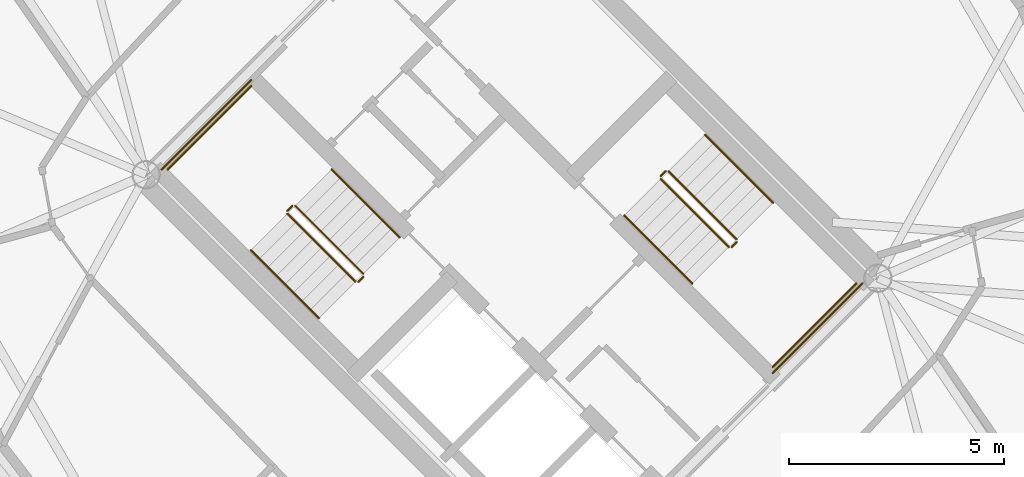
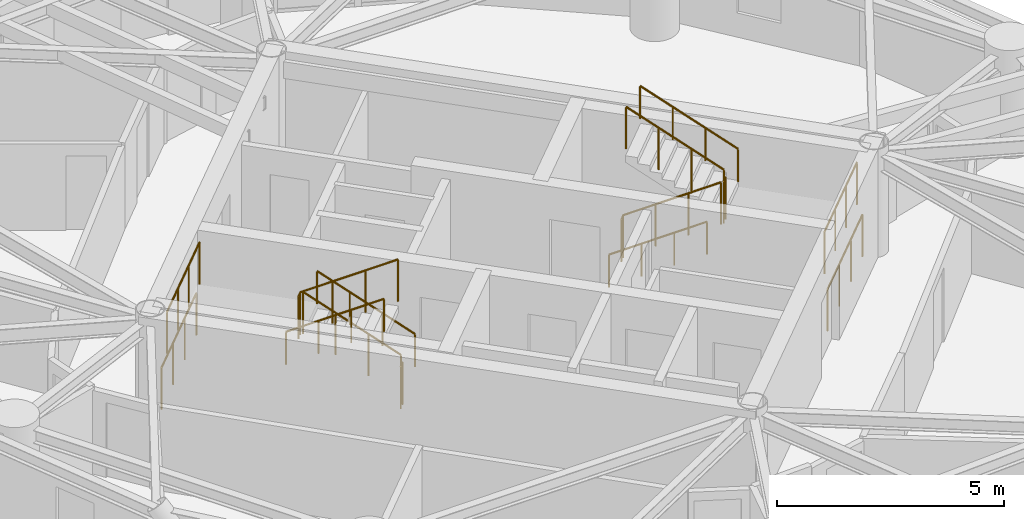
# One storey, part 16 of 17: 16 railings.
"""IFC4 building model written with IfcOpenShell, lengths in metres."""

from ifc_helpers import new_model, si_unit, direction, frame, origin, origin_2d, place, context, subcontext, project, spatial, circle, extrude, material, type_object, element, save


model = new_model("IFC4")

# Units and contexts
model_context = context("Model", 3, precision=1e-05, world=origin(), true_north=direction((0.0, 1.0)))
body_context = subcontext(model_context, "Body", "Model", "MODEL_VIEW")
ifc_project = project(units=[si_unit("LENGTHUNIT", "METRE"), si_unit("AREAUNIT", "SQUARE_METRE"), si_unit("VOLUMEUNIT", "CUBIC_METRE"), si_unit("PLANEANGLEUNIT", "RADIAN"), si_unit("MASSUNIT", "GRAM", prefix="KILO")], contexts=[model_context])

# Site, building, storey
site_placement = place(None, origin())
site = spatial("IfcSite", under=ifc_project, at=site_placement, CompositionType="ELEMENT")
building_placement = place(site_placement, origin())
building = spatial("IfcBuilding", under=site, at=building_placement, Name="Cununo Teusaquillo Station Towers", CompositionType="ELEMENT")
storey_placement = place(building_placement, frame((0.0, 0.0, 205.389892578125)))
storey = spatial("IfcBuildingStorey", under=building, at=storey_placement, Name="L65", CompositionType="ELEMENT", Elevation=205.389892578125)

# Railings
ifc_material_1 = material(Name="Steel EN 10025-2 S355J2", Category="steel")
railing_type_1 = type_object("IfcRailingType", Name="RL-INT-GUARD", PredefinedType="GUARDRAIL", material=ifc_material_1)
railing_1_placement = place(storey_placement, frame((54.03515625, 23.39697265625, 0.161865234375)))
element("IfcRailing", 1, at=railing_1_placement, inside=storey, type_object=railing_type_1, Name="L65 ST-T2-1 stair guard 1", PredefinedType="GUARDRAIL", context=body_context, shape_type="SweptSolid", body=[
    extrude(circle(Radius=0.02392578125, at=origin_2d()), frame((0.0, 0.0, 1.1259765625), z_axis=(-0.612361259024, 0.612361259024, 0.500027376144), x_axis=(-0.707106781187, -0.707106781187, 0.0)), (0.0, 0.0, 1.0), 2.586181640625),
    extrude(circle(Radius=0.02099609375, at=origin_2d()), origin(), (0.0, 0.0, 1.0), 1.101806640625),
    extrude(circle(Radius=0.02099609375, at=origin_2d()), frame((-0.52783203125, 0.52783203125, 0.43115234375)), (0.0, 0.0, 1.0), 1.101806640625),
    extrude(circle(Radius=0.02099609375, at=origin_2d()), frame((-1.055908203125, 1.055908203125, 0.862060546875)), (0.0, 0.0, 1.0), 1.101806640625),
    extrude(circle(Radius=0.02099609375, at=origin_2d()), frame((-1.583740234375, 1.583740234375, 1.293212890625)), (0.0, 0.0, 1.0), 1.101806640625),
])
railing_2_placement = place(storey_placement, frame((52.380615234375, 24.980712890625, 1.455078125)))
element("IfcRailing", 2, at=railing_2_placement, inside=storey, type_object=railing_type_1, Name="L65 ST-T2-1 stair guard 2", PredefinedType="GUARDRAIL", context=body_context, shape_type="SweptSolid", body=[
    extrude(circle(Radius=0.02392578125, at=origin_2d()), frame((0.0, 0.0, 1.1259765625), z_axis=(-0.7078691598, -0.706343579714, 0.0), x_axis=(0.706343579714, -0.7078691598, 0.0)), (0.0, 0.0, 1.0), 0.159912109375),
    extrude(circle(Radius=0.02099609375, at=origin_2d()), origin(), (0.0, 0.0, 1.0), 1.101806640625),
    extrude(circle(Radius=0.02099609375, at=origin_2d()), frame((-0.11328125, -0.113037109375, 0.0)), (0.0, 0.0, 1.0), 1.101806640625),
])
railing_3_placement = place(storey_placement, frame((51.426025390625, 27.77392578125, 1.455078125)))
element("IfcRailing", 3, at=railing_3_placement, inside=storey, type_object=railing_type_1, Name="L65 ST-T2-1 stair guard 3", PredefinedType="GUARDRAIL", context=body_context, shape_type="SweptSolid", body=[
    extrude(circle(Radius=0.02392578125, at=origin_2d()), frame((0.0, 0.0, 1.1259765625), z_axis=(-0.707106781187, -0.707106781187, 0.0), x_axis=(0.707106781187, -0.707106781187, 0.0)), (0.0, 0.0, 1.0), 2.760009765625),
    extrude(circle(Radius=0.02099609375, at=origin_2d()), origin(), (0.0, 0.0, 1.0), 1.101806640625),
    extrude(circle(Radius=0.02099609375, at=origin_2d()), frame((-0.650634765625, -0.650634765625, 0.0)), (0.0, 0.0, 1.0), 1.101806640625),
    extrude(circle(Radius=0.02099609375, at=origin_2d()), frame((-1.301025390625, -1.301025390625, 0.0)), (0.0, 0.0, 1.0), 1.101806640625),
    extrude(circle(Radius=0.02099609375, at=origin_2d()), frame((-1.95166015625, -1.95166015625, 0.0)), (0.0, 0.0, 1.0), 1.101806640625),
])
railing_4_placement = place(storey_placement, frame((52.267333984375, 24.796875, 1.61669921875)))
element("IfcRailing", 4, at=railing_4_placement, inside=storey, type_object=railing_type_1, Name="L65 ST-T2-1 stair guard 4", PredefinedType="GUARDRAIL", context=body_context, shape_type="SweptSolid", body=[
    extrude(circle(Radius=0.02392578125, at=origin_2d()), frame((0.0, 0.0, 1.1259765625), z_axis=(0.612391349474, -0.612296961165, 0.500069261639), x_axis=(0.707052281454, 0.707161276719, 0.0)), (0.0, 0.0, 1.0), 2.586669921875),
    extrude(circle(Radius=0.02099609375, at=origin_2d()), origin(), (0.0, 0.0, 1.0), 1.101806640625),
    extrude(circle(Radius=0.02099609375, at=origin_2d()), frame((0.528076171875, -0.52783203125, 0.43115234375)), (0.0, 0.0, 1.0), 1.101806640625),
    extrude(circle(Radius=0.02099609375, at=origin_2d()), frame((1.055908203125, -1.055908203125, 0.8623046875)), (0.0, 0.0, 1.0), 1.101806640625),
    extrude(circle(Radius=0.02099609375, at=origin_2d()), frame((1.583984375, -1.583740234375, 1.29345703125)), (0.0, 0.0, 1.0), 1.101806640625),
])
railing_5_placement = place(storey_placement, frame((54.03515625, 23.326171875, 0.0)))
element("IfcRailing", 5, at=railing_5_placement, inside=storey, type_object=railing_type_1, Name="L65 ST-T2-1 stair guard 5", PredefinedType="GUARDRAIL", context=body_context, shape_type="SweptSolid", body=[
    extrude(circle(Radius=0.02392578125, at=origin_2d()), frame((0.0, 0.0, 1.1259765625), z_axis=(-0.707106781187, -0.707106781187, 0.0), x_axis=(0.707106781187, -0.707106781187, 0.0)), (0.0, 0.0, 1.0), 0.159912109375),
    extrude(circle(Radius=0.02099609375, at=origin_2d()), origin(), (0.0, 0.0, 1.0), 1.101806640625),
    extrude(circle(Radius=0.02099609375, at=origin_2d()), frame((-0.113037109375, -0.113037109375, 0.0)), (0.0, 0.0, 1.0), 1.101806640625),
])
railing_6_placement = place(storey_placement, frame((51.426025390625, 27.915283203125, 0.0)))
element("IfcRailing", 6, at=railing_6_placement, inside=storey, type_object=railing_type_1, Name="L65 ST-T2-1 stair guard 6", PredefinedType="GUARDRAIL", context=body_context, shape_type="SweptSolid", body=[
    extrude(circle(Radius=0.02392578125, at=origin_2d()), frame((0.0, 0.0, 1.1259765625), z_axis=(-0.707106781187, -0.707106781187, 0.0), x_axis=(0.707106781187, -0.707106781187, 0.0)), (0.0, 0.0, 1.0), 2.9599609375),
    extrude(circle(Radius=0.02099609375, at=origin_2d()), origin(), (0.0, 0.0, 1.0), 1.101806640625),
    extrude(circle(Radius=0.02099609375, at=origin_2d()), frame((-0.69775390625, -0.69775390625, 0.0)), (0.0, 0.0, 1.0), 1.101806640625),
    extrude(circle(Radius=0.02099609375, at=origin_2d()), frame((-1.395263671875, -1.395263671875, 0.0)), (0.0, 0.0, 1.0), 1.101806640625),
    extrude(circle(Radius=0.02099609375, at=origin_2d()), frame((-2.093017578125, -2.093017578125, 0.0)), (0.0, 0.0, 1.0), 1.101806640625),
])
railing_7_placement = place(storey_placement, frame((60.96484375, 25.60302734375, 0.161865234375)))
element("IfcRailing", 7, at=railing_7_placement, inside=storey, type_object=railing_type_1, Name="L65 ST-T2-2 stair guard 1", PredefinedType="GUARDRAIL", context=body_context, shape_type="SweptSolid", body=[
    extrude(circle(Radius=0.02392578125, at=origin_2d()), frame((0.0, 0.0, 1.1259765625), z_axis=(0.612361259024, -0.612361259024, 0.500027376144), x_axis=(0.707106781187, 0.707106781187, 0.0)), (0.0, 0.0, 1.0), 2.586181640625),
    extrude(circle(Radius=0.02099609375, at=origin_2d()), origin(), (0.0, 0.0, 1.0), 1.101806640625),
    extrude(circle(Radius=0.02099609375, at=origin_2d()), frame((0.52783203125, -0.52783203125, 0.43115234375)), (0.0, 0.0, 1.0), 1.101806640625),
    extrude(circle(Radius=0.02099609375, at=origin_2d()), frame((1.055908203125, -1.055908203125, 0.862060546875)), (0.0, 0.0, 1.0), 1.101806640625),
    extrude(circle(Radius=0.02099609375, at=origin_2d()), frame((1.583740234375, -1.583740234375, 1.293212890625)), (0.0, 0.0, 1.0), 1.101806640625),
])
railing_8_placement = place(storey_placement, frame((62.619384765625, 24.019287109375, 1.455078125)))
element("IfcRailing", 8, at=railing_8_placement, inside=storey, type_object=railing_type_1, Name="L65 ST-T2-2 stair guard 2", PredefinedType="GUARDRAIL", context=body_context, shape_type="SweptSolid", body=[
    extrude(circle(Radius=0.02392578125, at=origin_2d()), frame((0.0, 0.0, 1.1259765625), z_axis=(0.7078691598, 0.706343579714, 0.0), x_axis=(-0.706343579714, 0.7078691598, 0.0)), (0.0, 0.0, 1.0), 0.159912109375),
    extrude(circle(Radius=0.02099609375, at=origin_2d()), origin(), (0.0, 0.0, 1.0), 1.101806640625),
    extrude(circle(Radius=0.02099609375, at=origin_2d()), frame((0.11328125, 0.113037109375, 0.0)), (0.0, 0.0, 1.0), 1.101806640625),
])
railing_9_placement = place(storey_placement, frame((63.573974609375, 21.22607421875, 1.455078125)))
element("IfcRailing", 9, at=railing_9_placement, inside=storey, type_object=railing_type_1, Name="L65 ST-T2-2 stair guard 3", PredefinedType="GUARDRAIL", context=body_context, shape_type="SweptSolid", body=[
    extrude(circle(Radius=0.02392578125, at=origin_2d()), frame((0.0, 0.0, 1.1259765625), z_axis=(0.707106781187, 0.707106781187, 0.0), x_axis=(-0.707106781187, 0.707106781187, 0.0)), (0.0, 0.0, 1.0), 2.760009765625),
    extrude(circle(Radius=0.02099609375, at=origin_2d()), origin(), (0.0, 0.0, 1.0), 1.101806640625),
    extrude(circle(Radius=0.02099609375, at=origin_2d()), frame((0.650634765625, 0.650634765625, 0.0)), (0.0, 0.0, 1.0), 1.101806640625),
    extrude(circle(Radius=0.02099609375, at=origin_2d()), frame((1.301025390625, 1.301025390625, 0.0)), (0.0, 0.0, 1.0), 1.101806640625),
    extrude(circle(Radius=0.02099609375, at=origin_2d()), frame((1.95166015625, 1.95166015625, 0.0)), (0.0, 0.0, 1.0), 1.101806640625),
])
railing_10_placement = place(storey_placement, frame((62.732666015625, 24.203125, 1.61669921875)))
element("IfcRailing", 10, at=railing_10_placement, inside=storey, type_object=railing_type_1, Name="L65 ST-T2-2 stair guard 4", PredefinedType="GUARDRAIL", context=body_context, shape_type="SweptSolid", body=[
    extrude(circle(Radius=0.02392578125, at=origin_2d()), frame((0.0, 0.0, 1.1259765625), z_axis=(-0.612391349474, 0.612296961165, 0.500069261639), x_axis=(-0.707052281454, -0.707161276719, 0.0)), (0.0, 0.0, 1.0), 2.586669921875),
    extrude(circle(Radius=0.02099609375, at=origin_2d()), origin(), (0.0, 0.0, 1.0), 1.101806640625),
    extrude(circle(Radius=0.02099609375, at=origin_2d()), frame((-0.528076171875, 0.52783203125, 0.43115234375)), (0.0, 0.0, 1.0), 1.101806640625),
    extrude(circle(Radius=0.02099609375, at=origin_2d()), frame((-1.055908203125, 1.055908203125, 0.8623046875)), (0.0, 0.0, 1.0), 1.101806640625),
    extrude(circle(Radius=0.02099609375, at=origin_2d()), frame((-1.583984375, 1.583740234375, 1.29345703125)), (0.0, 0.0, 1.0), 1.101806640625),
])
railing_11_placement = place(storey_placement, frame((60.96484375, 25.673828125, 0.0)))
element("IfcRailing", 11, at=railing_11_placement, inside=storey, type_object=railing_type_1, Name="L65 ST-T2-2 stair guard 5", PredefinedType="GUARDRAIL", context=body_context, shape_type="SweptSolid", body=[
    extrude(circle(Radius=0.02392578125, at=origin_2d()), frame((0.0, 0.0, 1.1259765625), z_axis=(0.707106781187, 0.707106781187, 0.0), x_axis=(-0.707106781187, 0.707106781187, 0.0)), (0.0, 0.0, 1.0), 0.159912109375),
    extrude(circle(Radius=0.02099609375, at=origin_2d()), origin(), (0.0, 0.0, 1.0), 1.101806640625),
    extrude(circle(Radius=0.02099609375, at=origin_2d()), frame((0.113037109375, 0.113037109375, 0.0)), (0.0, 0.0, 1.0), 1.101806640625),
])
railing_12_placement = place(storey_placement, frame((63.573974609375, 21.084716796875, 0.0)))
element("IfcRailing", 12, at=railing_12_placement, inside=storey, type_object=railing_type_1, Name="L65 ST-T2-2 stair guard 6", PredefinedType="GUARDRAIL", context=body_context, shape_type="SweptSolid", body=[
    extrude(circle(Radius=0.02392578125, at=origin_2d()), frame((0.0, 0.0, 1.1259765625), z_axis=(0.707106781187, 0.707106781187, 0.0), x_axis=(-0.707106781187, 0.707106781187, 0.0)), (0.0, 0.0, 1.0), 2.9599609375),
    extrude(circle(Radius=0.02099609375, at=origin_2d()), origin(), (0.0, 0.0, 1.0), 1.101806640625),
    extrude(circle(Radius=0.02099609375, at=origin_2d()), frame((0.69775390625, 0.69775390625, 0.0)), (0.0, 0.0, 1.0), 1.101806640625),
    extrude(circle(Radius=0.02099609375, at=origin_2d()), frame((1.395263671875, 1.395263671875, 0.0)), (0.0, 0.0, 1.0), 1.101806640625),
    extrude(circle(Radius=0.02099609375, at=origin_2d()), frame((2.093017578125, 2.093017578125, 0.0)), (0.0, 0.0, 1.0), 1.101806640625),
])
ifc_material_2 = material(Name="Steel EN 10025-2 S355J2", Category="steel")
railing_type_2 = type_object("IfcRailingType", Name="RL-INT-HRAIL", PredefinedType="HANDRAIL", material=ifc_material_2)
railing_13_placement = place(storey_placement, frame((54.8837890625, 24.245361328125, 0.161865234375)))
element("IfcRailing", 13, at=railing_13_placement, inside=storey, type_object=railing_type_2, Name="L65 ST-T2-1 stair handrail 1", PredefinedType="HANDRAIL", context=body_context, shape_type="SweptSolid", body=[
    extrude(circle(Radius=0.02392578125, at=origin_2d()), frame((0.0, 0.0, 0.8759765625), z_axis=(-0.612384857071, 0.612384857071, 0.499969572735), x_axis=(-0.707106781187, -0.707106781187, 0.0)), (0.0, 0.0, 1.0), 2.586669921875),
    extrude(circle(Radius=0.02099609375, at=origin_2d()), origin(), (0.0, 0.0, 1.0), 0.851806640625),
    extrude(circle(Radius=0.02099609375, at=origin_2d()), frame((-0.528076171875, 0.528076171875, 0.43115234375)), (0.0, 0.0, 1.0), 0.851806640625),
    extrude(circle(Radius=0.02099609375, at=origin_2d()), frame((-1.055908203125, 1.055908203125, 0.862060546875)), (0.0, 0.0, 1.0), 0.851806640625),
    extrude(circle(Radius=0.02099609375, at=origin_2d()), frame((-1.583984375, 1.583984375, 1.293212890625)), (0.0, 0.0, 1.0), 0.851806640625),
])
railing_14_placement = place(storey_placement, frame((51.4189453125, 23.948486328125, 1.61669921875)))
element("IfcRailing", 14, at=railing_14_placement, inside=storey, type_object=railing_type_2, Name="L65 ST-T2-1 stair handrail 2", PredefinedType="HANDRAIL", context=body_context, shape_type="SweptSolid", body=[
    extrude(circle(Radius=0.02392578125, at=origin_2d()), frame((0.0, 0.0, 0.8759765625), z_axis=(0.612355957468, -0.612355957468, 0.500040361077), x_axis=(0.707106781187, 0.707106781187, 0.0)), (0.0, 0.0, 1.0), 2.586669921875),
    extrude(circle(Radius=0.02099609375, at=origin_2d()), origin(), (0.0, 0.0, 1.0), 0.851806640625),
    extrude(circle(Radius=0.02099609375, at=origin_2d()), frame((0.528076171875, -0.528076171875, 0.43115234375)), (0.0, 0.0, 1.0), 0.851806640625),
    extrude(circle(Radius=0.02099609375, at=origin_2d()), frame((1.055908203125, -1.055908203125, 0.8623046875)), (0.0, 0.0, 1.0), 0.851806640625),
    extrude(circle(Radius=0.02099609375, at=origin_2d()), frame((1.583984375, -1.583984375, 1.29345703125)), (0.0, 0.0, 1.0), 0.851806640625),
])
railing_15_placement = place(storey_placement, frame((60.1162109375, 24.754638671875, 0.161865234375)))
element("IfcRailing", 15, at=railing_15_placement, inside=storey, type_object=railing_type_2, Name="L65 ST-T2-2 stair handrail 1", PredefinedType="HANDRAIL", context=body_context, shape_type="SweptSolid", body=[
    extrude(circle(Radius=0.02392578125, at=origin_2d()), frame((0.0, 0.0, 0.8759765625), z_axis=(0.612384857071, -0.612384857071, 0.499969572735), x_axis=(0.707106781187, 0.707106781187, 0.0)), (0.0, 0.0, 1.0), 2.586669921875),
    extrude(circle(Radius=0.02099609375, at=origin_2d()), origin(), (0.0, 0.0, 1.0), 0.851806640625),
    extrude(circle(Radius=0.02099609375, at=origin_2d()), frame((0.528076171875, -0.528076171875, 0.43115234375)), (0.0, 0.0, 1.0), 0.851806640625),
    extrude(circle(Radius=0.02099609375, at=origin_2d()), frame((1.055908203125, -1.055908203125, 0.862060546875)), (0.0, 0.0, 1.0), 0.851806640625),
    extrude(circle(Radius=0.02099609375, at=origin_2d()), frame((1.583984375, -1.583984375, 1.293212890625)), (0.0, 0.0, 1.0), 0.851806640625),
])
railing_16_placement = place(storey_placement, frame((63.5810546875, 25.051513671875, 1.61669921875)))
element("IfcRailing", 16, at=railing_16_placement, inside=storey, type_object=railing_type_2, Name="L65 ST-T2-2 stair handrail 2", PredefinedType="HANDRAIL", context=body_context, shape_type="SweptSolid", body=[
    extrude(circle(Radius=0.02392578125, at=origin_2d()), frame((0.0, 0.0, 0.8759765625), z_axis=(-0.612355957468, 0.612355957468, 0.500040361077), x_axis=(-0.707106781187, -0.707106781187, 0.0)), (0.0, 0.0, 1.0), 2.586669921875),
    extrude(circle(Radius=0.02099609375, at=origin_2d()), origin(), (0.0, 0.0, 1.0), 0.851806640625),
    extrude(circle(Radius=0.02099609375, at=origin_2d()), frame((-0.528076171875, 0.528076171875, 0.43115234375)), (0.0, 0.0, 1.0), 0.851806640625),
    extrude(circle(Radius=0.02099609375, at=origin_2d()), frame((-1.055908203125, 1.055908203125, 0.8623046875)), (0.0, 0.0, 1.0), 0.851806640625),
    extrude(circle(Radius=0.02099609375, at=origin_2d()), frame((-1.583984375, 1.583984375, 1.29345703125)), (0.0, 0.0, 1.0), 0.851806640625),
])

save(model, "model.ifc")
